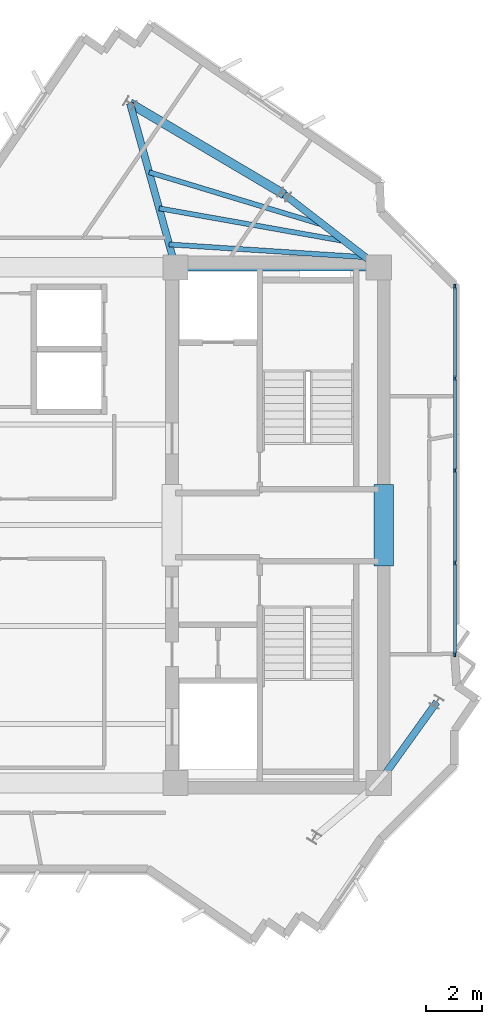
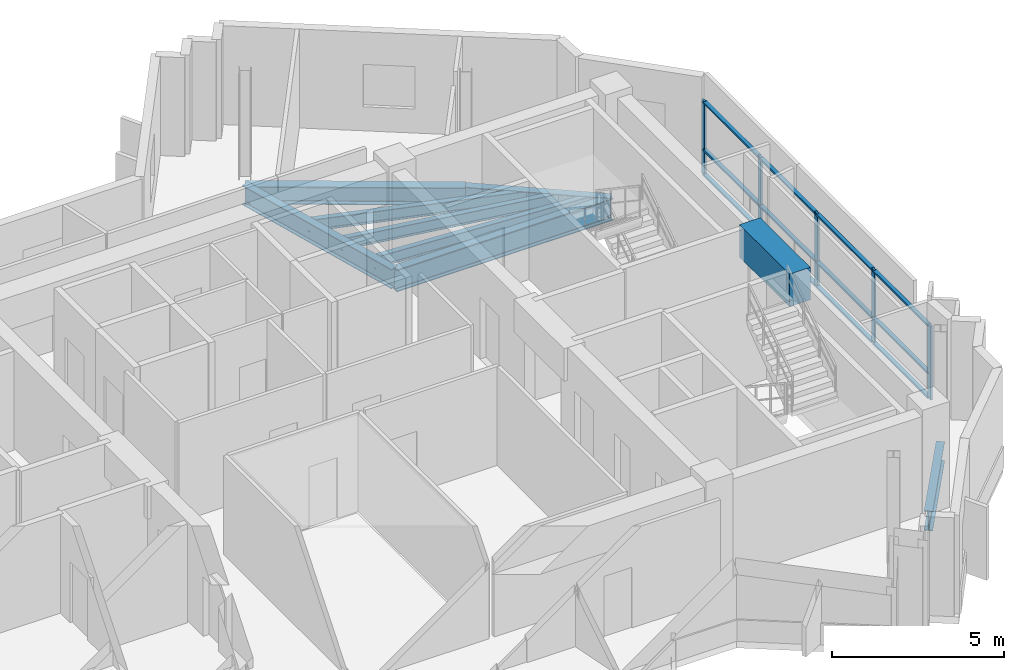
# One storey, part 3 of 11: 17 members, 9 beams, 1 element without a shape of its own.
"""IFC4 building model written with IfcOpenShell, lengths in metres."""

from ifc_helpers import new_model, si_unit, direction, frame, origin, origin_2d, place, context, subcontext, project, spatial, rectangle, i_section, extrude, source, transform, mapped, material, layer, layer_set, material_profile, profile_set, type_object, element, aggregate, save


model = new_model("IFC4")

# Units and contexts
model_context = context("Model", 3, precision=1e-05, world=origin(), true_north=direction((0.0, 1.0)))
body_context = subcontext(model_context, "Body", "Model", "MODEL_VIEW")
ifc_project = project(units=[si_unit("LENGTHUNIT", "METRE"), si_unit("AREAUNIT", "SQUARE_METRE"), si_unit("VOLUMEUNIT", "CUBIC_METRE"), si_unit("PLANEANGLEUNIT", "RADIAN"), si_unit("MASSUNIT", "GRAM", prefix="KILO")], contexts=[model_context])

# Site, building, storey
site_placement = place(None, origin())
site = spatial("IfcSite", under=ifc_project, at=site_placement, CompositionType="ELEMENT")
building_placement = place(site_placement, origin())
building = spatial("IfcBuilding", under=site, at=building_placement, Name="Zahravan Cultural Tower", CompositionType="ELEMENT")
storey_placement = place(building_placement, frame((0.0, 0.0, 338.550048828125)))
storey = spatial("IfcBuildingStorey", under=building, at=storey_placement, Name="L82", CompositionType="ELEMENT", Elevation=338.550048828125)

# Beams
ifc_material_1 = material(Name="Concrete C50/60", Category="concrete")
ifc_material_profile_1 = material_profile(ifc_material_1, rectangle(XDim=0.699951171875, YDim=1.14990234375, at=origin_2d()), Name="RC700X1150")
ifc_profile_set_1 = profile_set([ifc_material_profile_1], Name="Concrete C50/60")
beam_type_1 = type_object("IfcBeamType", Name="BM-LN-RC700X1150", PredefinedType="LINTEL", material=ifc_profile_set_1)
shared_shape_1 = source(origin(), body_context, "Body", "SweptSolid", [
    extrude(rectangle(XDim=0.699951171875, YDim=1.14990234375, at=origin_2d()), origin(), (0.0, 0.0, 1.0), 2.89990234375),
])
beam_1_placement = place(storey_placement, frame((50.52490234375, 25.550048828125, 2.925048828125), z_axis=(0.0, 1.0, 0.0), x_axis=(-1.0, 0.0, 0.0)))
element("IfcBeam", 1, at=beam_1_placement, inside=storey, type_object=beam_type_1, Name="L82 Beam LN-L82-PEE", PredefinedType="LINTEL", context=body_context, shape_type="MappedRepresentation", body=[
    mapped(shared_shape_1, transform((0.0, 0.0, 0.0), x_axis=(1.0, 0.0, 0.0), y_axis=(0.0, 1.0, 0.0), z_axis=(0.0, 0.0, 1.0), scale=1.0)),
])
ifc_material_2 = material(Name="Steel ASTM A992 Grade 50", Category="steel")
ifc_material_profile_2 = material_profile(ifc_material_2, i_section(OverallWidth=0.26611328125, OverallDepth=0.780029296875, WebThickness=0.0166015625, FlangeThickness=0.030029296875, FilletRadius=0.01904296875, at=origin_2d()), Name="W30X148")
ifc_profile_set_2 = profile_set([ifc_material_profile_2], Name="Steel ASTM A992 Grade 50")
beam_type_2 = type_object("IfcBeamType", Name="BM-G-W30X148", PredefinedType="BEAM", material=ifc_profile_set_2)
shared_shape_2 = source(origin(), body_context, "Body", "SweptSolid", [
    extrude(i_section(OverallWidth=0.26611328125, OverallDepth=0.780029296875, WebThickness=0.0166015625, FlangeThickness=0.030029296875, FilletRadius=0.01904296875, at=origin_2d()), origin(), (0.0, 0.0, 1.0), 7.25),
])
beam_2_placement = place(storey_placement, frame((43.10009765625, 36.199951171875, -0.64013671875), z_axis=(1.0, 0.0, 0.0), x_axis=(0.0, 1.0, 0.0)))
element("IfcBeam", 2, at=beam_2_placement, inside=storey, type_object=beam_type_2, Name="L82 Beam BG-L82-05", PredefinedType="BEAM", context=body_context, shape_type="MappedRepresentation", body=[
    mapped(shared_shape_2, transform((0.0, 0.0, 0.0), x_axis=(1.0, 0.0, 0.0), y_axis=(0.0, 1.0, 0.0), z_axis=(0.0, 0.0, 1.0), scale=1.0)),
])
ifc_material_profile_3 = material_profile(ifc_material_2, i_section(OverallWidth=0.326904296875, OverallDepth=0.6220703125, WebThickness=0.015380859375, FlangeThickness=0.0244140625, FilletRadius=0.014892578125, at=origin_2d()), Name="W24X131")
ifc_profile_set_3 = profile_set([ifc_material_profile_3], Name="Steel ASTM A992 Grade 50")
beam_type_3 = type_object("IfcBeamType", Name="BM-SP-W24X131", PredefinedType="SPANDREL", material=ifc_profile_set_3)
shared_shape_3 = source(origin(), body_context, "Body", "SweptSolid", [
    extrude(i_section(OverallWidth=0.326904296875, OverallDepth=0.6220703125, WebThickness=0.015380859375, FlangeThickness=0.0244140625, FilletRadius=0.014892578125, at=origin_2d()), origin(), (0.0, 0.0, 1.0), 6.400634765625),
])
beam_3_placement = place(storey_placement, frame((46.98388671875, 38.7998046875, -0.56103515625), z_axis=(-0.860706991833, 0.509100652337, 0.0), x_axis=(-0.509100652337, -0.860706991833, 0.0)))
element("IfcBeam", 3, at=beam_3_placement, inside=storey, type_object=beam_type_3, Name="L82 Beam SP-L82-17", PredefinedType="SPANDREL", context=body_context, shape_type="MappedRepresentation", body=[
    mapped(shared_shape_3, transform((0.0, 0.0, 0.0), x_axis=(1.0, 0.0, 0.0), y_axis=(0.0, 1.0, 0.0), z_axis=(0.0, 0.0, 1.0), scale=1.0)),
])
ifc_material_profile_4 = material_profile(ifc_material_2, i_section(OverallWidth=0.177978515625, OverallDepth=0.406005859375, WebThickness=0.0078125, FlangeThickness=0.0126953125, FilletRadius=0.011962890625, at=origin_2d()), Name="W16X40")
ifc_profile_set_4 = profile_set([ifc_material_profile_4], Name="Steel ASTM A992 Grade 50")
beam_type_4 = type_object("IfcBeamType", Name="BM-J-W16X40", PredefinedType="JOIST", material=ifc_profile_set_4)
shared_shape_4 = source(origin(), body_context, "Body", "SweptSolid", [
    extrude(i_section(OverallWidth=0.177978515625, OverallDepth=0.406005859375, WebThickness=0.0078125, FlangeThickness=0.0126953125, FilletRadius=0.011962890625, at=origin_2d()), origin(), (0.0, 0.0, 1.0), 7.02099609375),
])
beam_4_placement = place(storey_placement, frame((49.878662109375, 36.56396484375, -0.453125), z_axis=(-0.99788584579, 0.064991066863, 0.0), x_axis=(-0.064991066863, -0.99788584579, 0.0)))
element("IfcBeam", 4, at=beam_4_placement, inside=storey, type_object=beam_type_4, Name="L82 Beam BJ-L82-40", PredefinedType="JOIST", context=body_context, shape_type="MappedRepresentation", body=[
    mapped(shared_shape_4, transform((0.0, 0.0, 0.0), x_axis=(1.0, 0.0, 0.0), y_axis=(0.0, 1.0, 0.0), z_axis=(0.0, 0.0, 1.0), scale=1.0)),
])
shared_shape_5 = source(origin(), body_context, "Body", "SweptSolid", [
    extrude(i_section(OverallWidth=0.177978515625, OverallDepth=0.406005859375, WebThickness=0.0078125, FlangeThickness=0.0126953125, FilletRadius=0.011962890625, at=origin_2d()), origin(), (0.0, 0.0, 1.0), 6.726318359375),
])
beam_5_placement = place(storey_placement, frame((49.13818359375, 37.135986328125, -0.453125), z_axis=(-0.98467447748, 0.17440233198, 0.0), x_axis=(-0.17440233198, -0.98467447748, 0.0)))
element("IfcBeam", 5, at=beam_5_placement, inside=storey, type_object=beam_type_4, Name="L82 Beam BJ-L82-42", PredefinedType="JOIST", context=body_context, shape_type="MappedRepresentation", body=[
    mapped(shared_shape_5, transform((0.0, 0.0, 0.0), x_axis=(1.0, 0.0, 0.0), y_axis=(0.0, 1.0, 0.0), z_axis=(0.0, 0.0, 1.0), scale=1.0)),
])
shared_shape_6 = source(origin(), body_context, "Body", "SweptSolid", [
    extrude(i_section(OverallWidth=0.177978515625, OverallDepth=0.406005859375, WebThickness=0.0078125, FlangeThickness=0.0126953125, FilletRadius=0.011962890625, at=origin_2d()), origin(), (0.0, 0.0, 1.0), 6.520263671875),
])
beam_6_placement = place(storey_placement, frame((48.397705078125, 37.707763671875, -0.453125), z_axis=(-0.957060297679, 0.289888921151, 0.0), x_axis=(-0.289888921151, -0.957060297679, 0.0)))
element("IfcBeam", 6, at=beam_6_placement, inside=storey, type_object=beam_type_4, Name="L82 Beam BJ-L82-44", PredefinedType="JOIST", context=body_context, shape_type="MappedRepresentation", body=[
    mapped(shared_shape_6, transform((0.0, 0.0, 0.0), x_axis=(1.0, 0.0, 0.0), y_axis=(0.0, 1.0, 0.0), z_axis=(0.0, 0.0, 1.0), scale=1.0)),
])
ifc_material_profile_5 = material_profile(ifc_material_2, i_section(OverallWidth=0.25390625, OverallDepth=0.68798828125, WebThickness=0.01318359375, FlangeThickness=0.02099609375, FilletRadius=0.01806640625, at=origin_2d()), Name="W27X102")
ifc_profile_set_5 = profile_set([ifc_material_profile_5], Name="Steel ASTM A992 Grade 50")
beam_type_5 = type_object("IfcBeamType", Name="BM-G-W27X102", PredefinedType="BEAM", material=ifc_profile_set_5)
shared_shape_7 = source(origin(), body_context, "Body", "SweptSolid", [
    extrude(i_section(OverallWidth=0.25390625, OverallDepth=0.68798828125, WebThickness=0.01318359375, FlangeThickness=0.02099609375, FilletRadius=0.01806640625, at=origin_2d()), origin(), (0.0, 0.0, 1.0), 4.25341796875),
])
beam_7_placement = place(storey_placement, frame((50.35009765625, 36.199951171875, -0.593994140625), z_axis=(-0.791433936253, 0.611254713313, 0.0), x_axis=(-0.611254713313, -0.791433936253, 0.0)))
element("IfcBeam", 7, at=beam_7_placement, inside=storey, type_object=beam_type_5, Name="L82 Beam BG-L82-11", PredefinedType="BEAM", context=body_context, shape_type="MappedRepresentation", body=[
    mapped(shared_shape_7, transform((0.0, 0.0, 0.0), x_axis=(1.0, 0.0, 0.0), y_axis=(0.0, 1.0, 0.0), z_axis=(0.0, 0.0, 1.0), scale=1.0)),
])
shared_shape_8 = source(origin(), body_context, "Body", "SweptSolid", [
    extrude(i_section(OverallWidth=0.25390625, OverallDepth=0.68798828125, WebThickness=0.01318359375, FlangeThickness=0.02099609375, FilletRadius=0.01806640625, at=origin_2d()), origin(), (0.0, 0.0, 1.0), 6.07958984375),
])
beam_8_placement = place(storey_placement, frame((43.10009765625, 36.199951171875, -0.593994140625), z_axis=(-0.267324894686, 0.963606455292, 0.0), x_axis=(-0.963606455292, -0.267324894686, 0.0)))
element("IfcBeam", 8, at=beam_8_placement, inside=storey, type_object=beam_type_5, Name="L82 Beam BG-L82-12", PredefinedType="BEAM", context=body_context, shape_type="MappedRepresentation", body=[
    mapped(shared_shape_8, transform((0.0, 0.0, 0.0), x_axis=(1.0, 0.0, 0.0), y_axis=(0.0, 1.0, 0.0), z_axis=(0.0, 0.0, 1.0), scale=1.0)),
])
shared_shape_9 = source(origin(), body_context, "Body", "SweptSolid", [
    extrude(i_section(OverallWidth=0.25390625, OverallDepth=0.68798828125, WebThickness=0.01318359375, FlangeThickness=0.02099609375, FilletRadius=0.01806640625, at=origin_2d()), origin(), (0.0, 0.0, 1.0), 3.5556640625),
])
beam_9_placement = place(storey_placement, frame((50.35009765625, 17.800048828125, -0.593994140625), z_axis=(0.58288028137, 0.812558045674, 0.0), x_axis=(-0.812558045674, 0.58288028137, 0.0)))
element("IfcBeam", 9, at=beam_9_placement, inside=storey, type_object=beam_type_5, Name="L82 Beam BG-L82-10", PredefinedType="BEAM", context=body_context, shape_type="MappedRepresentation", body=[
    mapped(shared_shape_9, transform((0.0, 0.0, 0.0), x_axis=(1.0, 0.0, 0.0), y_axis=(0.0, 1.0, 0.0), z_axis=(0.0, 0.0, 1.0), scale=1.0)),
])

# Curtain wall, members
ifc_material_3 = material(Name="Anodised bronze-aluminium mullion", Category="aluminium")
ifc_layer = layer(ifc_material_3, 0.1650390625)
ifc_layer_set = layer_set([ifc_layer], Name="Anodised bronze-aluminium mullion")
curtain_wall_type = type_object("IfcCurtainWallType", Name="CW-SYS-4", PredefinedType="USERDEFINED", material=ifc_layer_set)
curtain_wall_placement = place(storey_placement, origin())
curtain_wall = element("IfcCurtainWall", 10, at=curtain_wall_placement, inside=storey, type_object=curtain_wall_type, Name="L82 Recessed Curtain Wall CW-4.2", ObjectType="RECESSED GLAZING", PredefinedType="USERDEFINED")
ifc_material_profile_6 = material_profile(ifc_material_3, rectangle(XDim=0.06494140625, YDim=0.1650390625, at=origin_2d()), Name="AL-M65X165")
ifc_profile_set_6 = profile_set([ifc_material_profile_6], Name="Anodised bronze-aluminium mullion")
member_type_1 = type_object("IfcMemberType", Name="CWM-CW-4", PredefinedType="MULLION", material=ifc_profile_set_6)
shared_shape_10 = source(origin(), body_context, "Body", "SweptSolid", [
    extrude(rectangle(XDim=0.06494140625, YDim=0.1650390625, at=origin_2d()), origin(), (0.0, 0.0, 1.0), 2.619873046875),
])
member_1_placement = place(storey_placement, frame((53.06005859375, 35.509521484375, 0.0), z_axis=(0.0, 0.0, 1.0), x_axis=(1.0, 0.0, 0.0)))
member_1 = element("IfcMember", 11, at=member_1_placement, type_object=member_type_1, Name="CW-4 mullion 1", PredefinedType="MULLION", context=body_context, shape_type="MappedRepresentation", body=[
    mapped(shared_shape_10, transform((0.0, 0.0, 0.0), x_axis=(1.0, 0.0, 0.0), y_axis=(0.0, 1.0, 0.0), z_axis=(0.0, 0.0, 1.0), scale=1.0)),
])
member_2_placement = place(storey_placement, frame((53.06005859375, 32.24658203125, 0.0), z_axis=(0.0, 0.0, 1.0), x_axis=(1.0, 0.0, 0.0)))
member_2 = element("IfcMember", 12, at=member_2_placement, type_object=member_type_1, Name="CW-4 mullion 2", PredefinedType="MULLION", context=body_context, shape_type="MappedRepresentation", body=[
    mapped(shared_shape_10, transform((0.0, 0.0, 0.0), x_axis=(1.0, 0.0, 0.0), y_axis=(0.0, 1.0, 0.0), z_axis=(0.0, 0.0, 1.0), scale=1.0)),
])
member_3_placement = place(storey_placement, frame((53.06005859375, 28.951171875, 0.0), z_axis=(0.0, 0.0, 1.0), x_axis=(1.0, 0.0, 0.0)))
member_3 = element("IfcMember", 13, at=member_3_placement, type_object=member_type_1, Name="CW-4 mullion 3", PredefinedType="MULLION", context=body_context, shape_type="MappedRepresentation", body=[
    mapped(shared_shape_10, transform((0.0, 0.0, 0.0), x_axis=(1.0, 0.0, 0.0), y_axis=(0.0, 1.0, 0.0), z_axis=(0.0, 0.0, 1.0), scale=1.0)),
])
member_4_placement = place(storey_placement, frame((53.06005859375, 25.65576171875, 0.0), z_axis=(0.0, 0.0, 1.0), x_axis=(1.0, 0.0, 0.0)))
member_4 = element("IfcMember", 14, at=member_4_placement, type_object=member_type_1, Name="CW-4 mullion 4", PredefinedType="MULLION", context=body_context, shape_type="MappedRepresentation", body=[
    mapped(shared_shape_10, transform((0.0, 0.0, 0.0), x_axis=(1.0, 0.0, 0.0), y_axis=(0.0, 1.0, 0.0), z_axis=(0.0, 0.0, 1.0), scale=1.0)),
])
member_5_placement = place(storey_placement, frame((53.06005859375, 22.392578125, 0.0), z_axis=(0.0, 0.0, 1.0), x_axis=(1.0, 0.0, 0.0)))
member_5 = element("IfcMember", 15, at=member_5_placement, type_object=member_type_1, Name="CW-4 mullion 5", PredefinedType="MULLION", context=body_context, shape_type="MappedRepresentation", body=[
    mapped(shared_shape_10, transform((0.0, 0.0, 0.0), x_axis=(1.0, 0.0, 0.0), y_axis=(0.0, 1.0, 0.0), z_axis=(0.0, 0.0, 1.0), scale=1.0)),
])
ifc_material_profile_7 = material_profile(ifc_material_3, rectangle(XDim=0.1298828125, YDim=0.06494140625, at=origin_2d()), Name="AL-T65X130")
ifc_profile_set_7 = profile_set([ifc_material_profile_7], Name="Anodised bronze-aluminium mullion")
member_type_2 = type_object("IfcMemberType", Name="CWT-CW-4", PredefinedType="USERDEFINED", material=ifc_profile_set_7)
shared_shape_11 = source(origin(), body_context, "Body", "SweptSolid", [
    extrude(rectangle(XDim=0.1298828125, YDim=0.06494140625, at=origin_2d()), origin(), (0.0, 0.0, 1.0), 3.197998046875),
])
member_6_placement = place(storey_placement, frame((53.06005859375, 35.47705078125, 0.032470703125), z_axis=(0.0, -1.0, 0.0), x_axis=(1.0, 0.0, 0.0)))
member_6 = element("IfcMember", 16, at=member_6_placement, type_object=member_type_2, Name="CW-4 transom 1.1", ObjectType="TRANSOM", PredefinedType="USERDEFINED", context=body_context, shape_type="MappedRepresentation", body=[
    mapped(shared_shape_11, transform((0.0, 0.0, 0.0), x_axis=(1.0, 0.0, 0.0), y_axis=(0.0, 1.0, 0.0), z_axis=(0.0, 0.0, 1.0), scale=1.0)),
])
member_7_placement = place(storey_placement, frame((53.06005859375, 35.47705078125, 0.89990234375), z_axis=(0.0, -1.0, 0.0), x_axis=(1.0, 0.0, 0.0)))
member_7 = element("IfcMember", 17, at=member_7_placement, type_object=member_type_2, Name="CW-4 transom 1.2", ObjectType="TRANSOM", PredefinedType="USERDEFINED", context=body_context, shape_type="MappedRepresentation", body=[
    mapped(shared_shape_11, transform((0.0, 0.0, 0.0), x_axis=(1.0, 0.0, 0.0), y_axis=(0.0, 1.0, 0.0), z_axis=(0.0, 0.0, 1.0), scale=1.0)),
])
member_8_placement = place(storey_placement, frame((53.06005859375, 35.47705078125, 2.58740234375), z_axis=(0.0, -1.0, 0.0), x_axis=(1.0, 0.0, 0.0)))
member_8 = element("IfcMember", 18, at=member_8_placement, type_object=member_type_2, Name="CW-4 transom 1.3", ObjectType="TRANSOM", PredefinedType="USERDEFINED", context=body_context, shape_type="MappedRepresentation", body=[
    mapped(shared_shape_11, transform((0.0, 0.0, 0.0), x_axis=(1.0, 0.0, 0.0), y_axis=(0.0, 1.0, 0.0), z_axis=(0.0, 0.0, 1.0), scale=1.0)),
])
shared_shape_12 = source(origin(), body_context, "Body", "SweptSolid", [
    extrude(rectangle(XDim=0.1298828125, YDim=0.06494140625, at=origin_2d()), origin(), (0.0, 0.0, 1.0), 3.23046875),
])
member_9_placement = place(storey_placement, frame((53.06005859375, 32.214111328125, 0.032470703125), z_axis=(0.0, -1.0, 0.0), x_axis=(1.0, 0.0, 0.0)))
member_9 = element("IfcMember", 19, at=member_9_placement, type_object=member_type_2, Name="CW-4 transom 2.1", ObjectType="TRANSOM", PredefinedType="USERDEFINED", context=body_context, shape_type="MappedRepresentation", body=[
    mapped(shared_shape_12, transform((0.0, 0.0, 0.0), x_axis=(1.0, 0.0, 0.0), y_axis=(0.0, 1.0, 0.0), z_axis=(0.0, 0.0, 1.0), scale=1.0)),
])
member_10_placement = place(storey_placement, frame((53.06005859375, 32.214111328125, 0.89990234375), z_axis=(0.0, -1.0, 0.0), x_axis=(1.0, 0.0, 0.0)))
member_10 = element("IfcMember", 20, at=member_10_placement, type_object=member_type_2, Name="CW-4 transom 2.2", ObjectType="TRANSOM", PredefinedType="USERDEFINED", context=body_context, shape_type="MappedRepresentation", body=[
    mapped(shared_shape_12, transform((0.0, 0.0, 0.0), x_axis=(1.0, 0.0, 0.0), y_axis=(0.0, 1.0, 0.0), z_axis=(0.0, 0.0, 1.0), scale=1.0)),
])
member_11_placement = place(storey_placement, frame((53.06005859375, 32.214111328125, 2.58740234375), z_axis=(0.0, -1.0, 0.0), x_axis=(1.0, 0.0, 0.0)))
member_11 = element("IfcMember", 21, at=member_11_placement, type_object=member_type_2, Name="CW-4 transom 2.3", ObjectType="TRANSOM", PredefinedType="USERDEFINED", context=body_context, shape_type="MappedRepresentation", body=[
    mapped(shared_shape_12, transform((0.0, 0.0, 0.0), x_axis=(1.0, 0.0, 0.0), y_axis=(0.0, 1.0, 0.0), z_axis=(0.0, 0.0, 1.0), scale=1.0)),
])
member_12_placement = place(storey_placement, frame((53.06005859375, 28.918701171875, 0.032470703125), z_axis=(0.0, -1.0, 0.0), x_axis=(1.0, 0.0, 0.0)))
member_12 = element("IfcMember", 22, at=member_12_placement, type_object=member_type_2, Name="CW-4 transom 3.1", ObjectType="TRANSOM", PredefinedType="USERDEFINED", context=body_context, shape_type="MappedRepresentation", body=[
    mapped(shared_shape_12, transform((0.0, 0.0, 0.0), x_axis=(1.0, 0.0, 0.0), y_axis=(0.0, 1.0, 0.0), z_axis=(0.0, 0.0, 1.0), scale=1.0)),
])
member_13_placement = place(storey_placement, frame((53.06005859375, 28.918701171875, 0.89990234375), z_axis=(0.0, -1.0, 0.0), x_axis=(1.0, 0.0, 0.0)))
member_13 = element("IfcMember", 23, at=member_13_placement, type_object=member_type_2, Name="CW-4 transom 3.2", ObjectType="TRANSOM", PredefinedType="USERDEFINED", context=body_context, shape_type="MappedRepresentation", body=[
    mapped(shared_shape_12, transform((0.0, 0.0, 0.0), x_axis=(1.0, 0.0, 0.0), y_axis=(0.0, 1.0, 0.0), z_axis=(0.0, 0.0, 1.0), scale=1.0)),
])
member_14_placement = place(storey_placement, frame((53.06005859375, 28.918701171875, 2.58740234375), z_axis=(0.0, -1.0, 0.0), x_axis=(1.0, 0.0, 0.0)))
member_14 = element("IfcMember", 24, at=member_14_placement, type_object=member_type_2, Name="CW-4 transom 3.3", ObjectType="TRANSOM", PredefinedType="USERDEFINED", context=body_context, shape_type="MappedRepresentation", body=[
    mapped(shared_shape_12, transform((0.0, 0.0, 0.0), x_axis=(1.0, 0.0, 0.0), y_axis=(0.0, 1.0, 0.0), z_axis=(0.0, 0.0, 1.0), scale=1.0)),
])
shared_shape_13 = source(origin(), body_context, "Body", "SweptSolid", [
    extrude(rectangle(XDim=0.1298828125, YDim=0.06494140625, at=origin_2d()), origin(), (0.0, 0.0, 1.0), 3.19775390625),
])
member_15_placement = place(storey_placement, frame((53.06005859375, 25.623046875, 0.032470703125), z_axis=(0.0, -1.0, 0.0), x_axis=(1.0, 0.0, 0.0)))
member_15 = element("IfcMember", 25, at=member_15_placement, type_object=member_type_2, Name="CW-4 transom 4.1", ObjectType="TRANSOM", PredefinedType="USERDEFINED", context=body_context, shape_type="MappedRepresentation", body=[
    mapped(shared_shape_13, transform((0.0, 0.0, 0.0), x_axis=(1.0, 0.0, 0.0), y_axis=(0.0, 1.0, 0.0), z_axis=(0.0, 0.0, 1.0), scale=1.0)),
])
member_16_placement = place(storey_placement, frame((53.06005859375, 25.623046875, 0.89990234375), z_axis=(0.0, -1.0, 0.0), x_axis=(1.0, 0.0, 0.0)))
member_16 = element("IfcMember", 26, at=member_16_placement, type_object=member_type_2, Name="CW-4 transom 4.2", ObjectType="TRANSOM", PredefinedType="USERDEFINED", context=body_context, shape_type="MappedRepresentation", body=[
    mapped(shared_shape_13, transform((0.0, 0.0, 0.0), x_axis=(1.0, 0.0, 0.0), y_axis=(0.0, 1.0, 0.0), z_axis=(0.0, 0.0, 1.0), scale=1.0)),
])
member_17_placement = place(storey_placement, frame((53.06005859375, 25.623046875, 2.58740234375), z_axis=(0.0, -1.0, 0.0), x_axis=(1.0, 0.0, 0.0)))
member_17 = element("IfcMember", 27, at=member_17_placement, type_object=member_type_2, Name="CW-4 transom 4.3", ObjectType="TRANSOM", PredefinedType="USERDEFINED", context=body_context, shape_type="MappedRepresentation", body=[
    mapped(shared_shape_13, transform((0.0, 0.0, 0.0), x_axis=(1.0, 0.0, 0.0), y_axis=(0.0, 1.0, 0.0), z_axis=(0.0, 0.0, 1.0), scale=1.0)),
])
aggregate(curtain_wall, [member_1, member_2, member_3, member_4, member_5, member_6, member_7, member_8, member_9, member_10, member_11, member_12, member_13, member_14, member_15, member_16, member_17])

save(model, "model.ifc")
